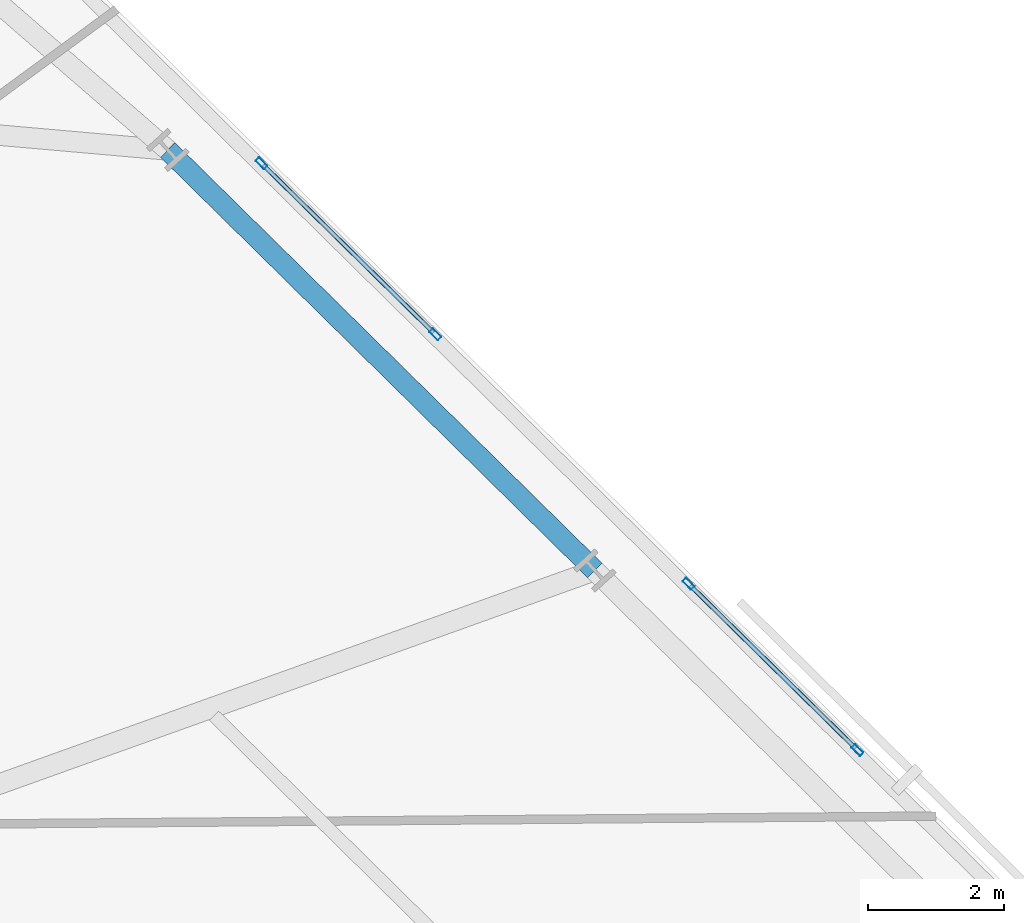
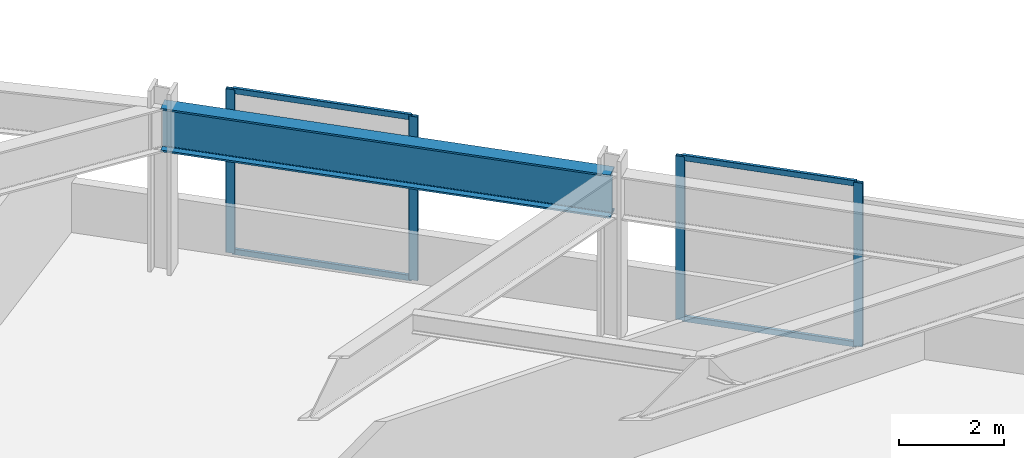
# One storey, part 5 of 18: 8 members, 1 beam, 2 elements without a shape of their own.
"""IFC4 building model written with IfcOpenShell, lengths in metres."""

from ifc_helpers import new_model, si_unit, direction, frame, origin, origin_2d, place, context, subcontext, project, spatial, hollow_rectangle, i_section, extrude, material, material_profile, profile_set, type_object, element, aggregate, save


model = new_model("IFC4")

# Units and contexts
model_context = context("Model", 3, precision=1e-05, world=origin(), true_north=direction((0.0, 1.0)))
body_context = subcontext(model_context, "Body", "Model", "MODEL_VIEW")
ifc_project = project(units=[si_unit("LENGTHUNIT", "METRE"), si_unit("AREAUNIT", "SQUARE_METRE"), si_unit("VOLUMEUNIT", "CUBIC_METRE"), si_unit("PLANEANGLEUNIT", "RADIAN"), si_unit("MASSUNIT", "GRAM", prefix="KILO")], contexts=[model_context])

# Site, building, storey
site_placement = place(None, origin())
site = spatial("IfcSite", under=ifc_project, at=site_placement, CompositionType="ELEMENT")
building_placement = place(site_placement, origin())
building = spatial("IfcBuilding", under=site, at=building_placement, Name="Narakoshi Arena Tower", CompositionType="ELEMENT")
storey_placement = place(building_placement, frame((0.0, 0.0, 59.10009765625)))
storey = spatial("IfcBuildingStorey", under=building, at=storey_placement, Name="L15", CompositionType="ELEMENT", Elevation=59.10009765625)

# Beam
ifc_material_1 = material(Name="Structural steel S460ML", Category="steel")
ifc_material_profile_1 = material_profile(ifc_material_1, i_section(OverallWidth=0.302001953125, OverallDepth=1.008056640625, WebThickness=0.02099609375, FlangeThickness=0.0400390625, FilletRadius=0.030029296875, at=origin_2d()), Name="HE1000M")
ifc_profile_set_1 = profile_set([ifc_material_profile_1], Name="Structural steel S460ML")
beam_type = type_object("IfcBeamType", Name="BM-XFER-1000", PredefinedType="BEAM", material=ifc_profile_set_1)
beam_placement = place(storey_placement, frame((102.345458984375, 49.373779296875, 3.2958984375), z_axis=(-0.712540689328, 0.70163079041, 0.0), x_axis=(-0.70163079041, -0.712540689328, 0.0)))
element("IfcBeam", 1, at=beam_placement, inside=storey, type_object=beam_type, Name="L15 Perimeter Transfer Ring Girder 07", PredefinedType="BEAM", context=body_context, shape_type="SweptSolid", body=[
    extrude(i_section(OverallWidth=0.302001953125, OverallDepth=1.008056640625, WebThickness=0.02099609375, FlangeThickness=0.0400390625, FilletRadius=0.030029296875, at=origin_2d()), origin(), (0.0, 0.0, 1.0), 8.83935546875),
])

# Curtain wall, members
ifc_material_2 = material(Name="Anodised bronze aluminium 6063-T6", Category="aluminium")
curtain_wall_type = type_object("IfcCurtainWallType", Name="CW-HYP-LOW", PredefinedType="NOTDEFINED", material=ifc_material_2)
curtain_wall_1_placement = place(storey_placement, origin())
curtain_wall_1 = element("IfcCurtainWall", 2, at=curtain_wall_1_placement, inside=storey, type_object=curtain_wall_type, Name="L15 Folded Hypotenuse Curtain Wall 1-3", PredefinedType="NOTDEFINED")
ifc_material_profile_2 = material_profile(ifc_material_2, hollow_rectangle(XDim=0.074951171875, YDim=0.179931640625, WallThickness=0.00390625, OuterFilletRadius=0.0048828125, at=origin_2d()), Name="MUL180x75x4")
ifc_profile_set_2 = profile_set([ifc_material_profile_2], Name="Anodised bronze aluminium 6063-T6")
member_type_1 = type_object("IfcMemberType", Name="MEM-MUL-180", PredefinedType="MULLION", material=ifc_profile_set_2)
member_1_placement = place(storey_placement, frame((106.218994140625, 46.724609375, 0.0), z_axis=(0.0, 0.0, 1.0), x_axis=(-0.701624380133, -0.712547001399, 0.0)))
member_1 = element("IfcMember", 3, at=member_1_placement, type_object=member_type_1, Name="CW-01 mullion 1", PredefinedType="MULLION", context=body_context, shape_type="SweptSolid", body=[
    extrude(hollow_rectangle(XDim=0.074951171875, YDim=0.179931640625, WallThickness=0.00390625, OuterFilletRadius=0.0048828125, at=origin_2d()), origin(), (0.0, 0.0, 1.0), 3.7998046875),
])
member_2_placement = place(storey_placement, frame((103.72802734375, 49.177001953125, 0.0), z_axis=(0.0, 0.0, 1.0), x_axis=(-0.701624380133, -0.712547001399, 0.0)))
member_2 = element("IfcMember", 4, at=member_2_placement, type_object=member_type_1, Name="CW-01 mullion 2", PredefinedType="MULLION", context=body_context, shape_type="SweptSolid", body=[
    extrude(hollow_rectangle(XDim=0.074951171875, YDim=0.179931640625, WallThickness=0.00390625, OuterFilletRadius=0.0048828125, at=origin_2d()), origin(), (0.0, 0.0, 1.0), 3.7998046875),
])

curtain_wall_2_placement = place(storey_placement, origin())
curtain_wall_2 = element("IfcCurtainWall", 5, at=curtain_wall_2_placement, inside=storey, type_object=curtain_wall_type, Name="L15 Folded Hypotenuse Curtain Wall 1-4", PredefinedType="NOTDEFINED")
member_3_placement = place(storey_placement, frame((99.9921875, 52.855712890625, 0.0), z_axis=(0.0, 0.0, 1.0), x_axis=(-0.701624466006, -0.712546916843, 0.0)))
member_3 = element("IfcMember", 6, at=member_3_placement, type_object=member_type_1, Name="CW-01 mullion 1", PredefinedType="MULLION", context=body_context, shape_type="SweptSolid", body=[
    extrude(hollow_rectangle(XDim=0.074951171875, YDim=0.179931640625, WallThickness=0.00390625, OuterFilletRadius=0.0048828125, at=origin_2d()), origin(), (0.0, 0.0, 1.0), 3.7998046875),
])
member_4_placement = place(storey_placement, frame((97.4296875, 55.37890625, 0.0), z_axis=(0.0, 0.0, 1.0), x_axis=(-0.701624466006, -0.712546916843, 0.0)))
member_4 = element("IfcMember", 7, at=member_4_placement, type_object=member_type_1, Name="CW-01 mullion 2", PredefinedType="MULLION", context=body_context, shape_type="SweptSolid", body=[
    extrude(hollow_rectangle(XDim=0.074951171875, YDim=0.179931640625, WallThickness=0.00390625, OuterFilletRadius=0.0048828125, at=origin_2d()), origin(), (0.0, 0.0, 1.0), 3.7998046875),
])

# Member
ifc_material_profile_3 = material_profile(ifc_material_2, hollow_rectangle(XDim=0.06494140625, YDim=0.1298828125, WallThickness=0.00390625, OuterFilletRadius=0.0048828125, at=origin_2d()), Name="TRN130x65x4")
ifc_profile_set_3 = profile_set([ifc_material_profile_3], Name="Anodised bronze aluminium 6063-T6")
member_type_2 = type_object("IfcMemberType", Name="MEM-TRN-130", PredefinedType="USERDEFINED", material=ifc_profile_set_3)
member_5_placement = place(storey_placement, frame((106.192138671875, 46.750732421875, 0.032470703125), z_axis=(-0.71251027506, 0.701661676261, 0.0), x_axis=(-0.701661676261, -0.71251027506, 0.0)))
member_5 = element("IfcMember", 8, at=member_5_placement, type_object=member_type_2, Name="CW-01 transom 1.1", ObjectType="TRANSOM", PredefinedType="USERDEFINED", context=body_context, shape_type="SweptSolid", body=[
    extrude(hollow_rectangle(XDim=0.06494140625, YDim=0.1298828125, WallThickness=0.00390625, OuterFilletRadius=0.0048828125, at=origin_2d()), origin(), (0.0, 0.0, 1.0), 3.420654296875),
])

member_6_placement = place(storey_placement, frame((106.192138671875, 46.750732421875, 3.767333984375), z_axis=(-0.71251027506, 0.701661676261, 0.0), x_axis=(-0.701661676261, -0.71251027506, 0.0)))
member_6 = element("IfcMember", 9, at=member_6_placement, type_object=member_type_2, Name="CW-01 transom 1.2", ObjectType="TRANSOM", PredefinedType="USERDEFINED", context=body_context, shape_type="SweptSolid", body=[
    extrude(hollow_rectangle(XDim=0.06494140625, YDim=0.1298828125, WallThickness=0.00390625, OuterFilletRadius=0.0048828125, at=origin_2d()), origin(), (0.0, 0.0, 1.0), 3.420654296875),
])

aggregate(curtain_wall_1, [member_1, member_2, member_5, member_6])

member_7_placement = place(storey_placement, frame((99.965576171875, 52.882080078125, 0.032470703125), z_axis=(-0.712528423548, 0.701643246697, 0.0), x_axis=(-0.701643246697, -0.712528423548, 0.0)))
member_7 = element("IfcMember", 10, at=member_7_placement, type_object=member_type_2, Name="CW-01 transom 1.1", ObjectType="TRANSOM", PredefinedType="USERDEFINED", context=body_context, shape_type="SweptSolid", body=[
    extrude(hollow_rectangle(XDim=0.06494140625, YDim=0.1298828125, WallThickness=0.00390625, OuterFilletRadius=0.0048828125, at=origin_2d()), origin(), (0.0, 0.0, 1.0), 3.521240234375),
])

member_8_placement = place(storey_placement, frame((99.965576171875, 52.882080078125, 3.767333984375), z_axis=(-0.712528423548, 0.701643246697, 0.0), x_axis=(-0.701643246697, -0.712528423548, 0.0)))
member_8 = element("IfcMember", 11, at=member_8_placement, type_object=member_type_2, Name="CW-01 transom 1.2", ObjectType="TRANSOM", PredefinedType="USERDEFINED", context=body_context, shape_type="SweptSolid", body=[
    extrude(hollow_rectangle(XDim=0.06494140625, YDim=0.1298828125, WallThickness=0.00390625, OuterFilletRadius=0.0048828125, at=origin_2d()), origin(), (0.0, 0.0, 1.0), 3.521240234375),
])

aggregate(curtain_wall_2, [member_3, member_4, member_7, member_8])

save(model, "model.ifc")
